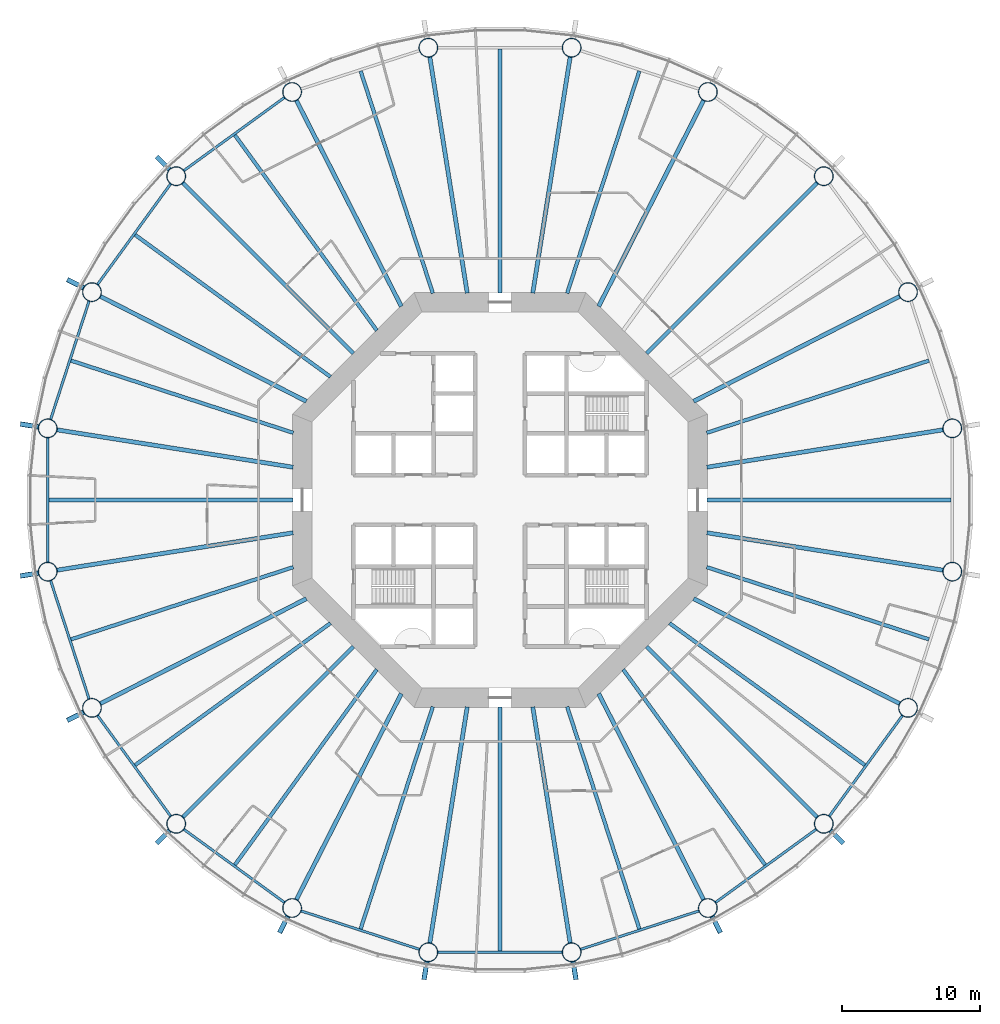
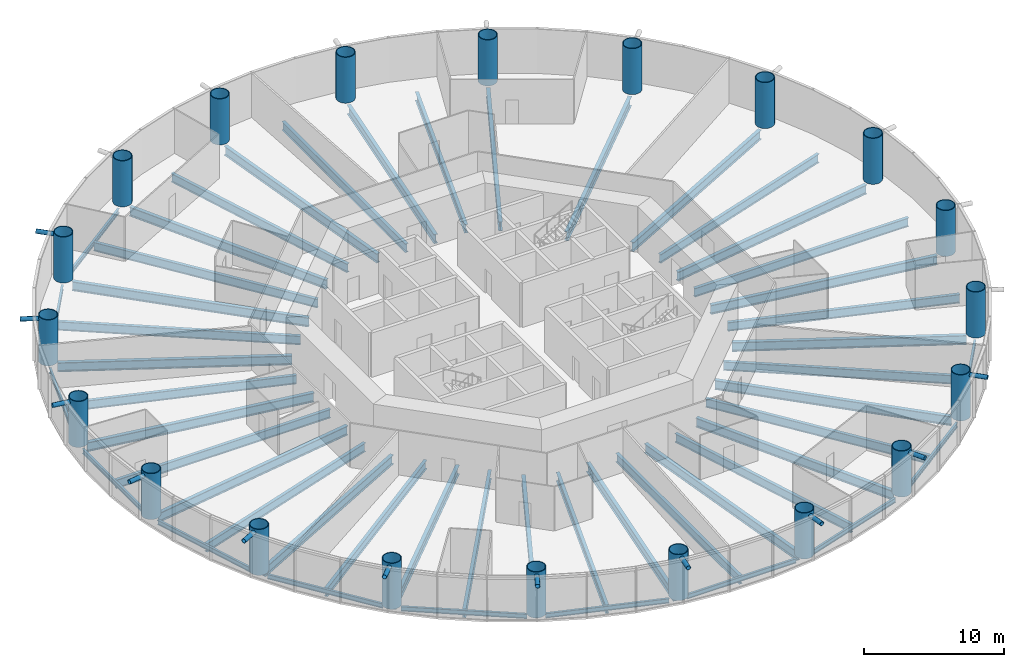
# One storey, part 1 of 13: 50 beams, 20 columns, 11 members.
"""IFC4 building model written with IfcOpenShell, lengths in metres."""

from ifc_helpers import new_model, si_unit, direction, frame, origin, origin_2d, place, context, subcontext, project, spatial, circle, hollow_circle, i_section, extrude, material, material_profile, profile_set, type_object, element, save


model = new_model("IFC4")

# Units and contexts
model_context = context("Model", 3, precision=1e-05, world=origin(), true_north=direction((0.0, 1.0)))
body_context = subcontext(model_context, "Body", "Model", "MODEL_VIEW")
ifc_project = project(units=[si_unit("LENGTHUNIT", "METRE"), si_unit("AREAUNIT", "SQUARE_METRE"), si_unit("VOLUMEUNIT", "CUBIC_METRE"), si_unit("PLANEANGLEUNIT", "RADIAN"), si_unit("MASSUNIT", "GRAM", prefix="KILO")], contexts=[model_context])

# Site, building, storey
site_placement = place(None, origin())
site = spatial("IfcSite", under=ifc_project, at=site_placement, CompositionType="ELEMENT")
building_placement = place(site_placement, origin())
building = spatial("IfcBuilding", under=site, at=building_placement, Name="Entoto Ring Tower", CompositionType="ELEMENT")
storey_placement = place(building_placement, frame((0.0, 0.0, 34.0)))
storey = spatial("IfcBuildingStorey", under=building, at=storey_placement, Name="L06", CompositionType="ELEMENT", Elevation=34.0)

# Columns
ifc_material_1 = material(Name="Steel S355", Category="steel")
ifc_material_profile_1 = material_profile(ifc_material_1, hollow_circle(Radius=0.699951171875, WallThickness=0.06005859375, at=origin_2d()), Name="CHS 1400 x 60")
ifc_material_2 = material(Name="Concrete C60/75", Category="concrete")
ifc_material_profile_2 = material_profile(ifc_material_2, circle(Radius=0.639892578125, at=origin_2d()), Name="Concrete C60/75 infill")
ifc_profile_set_1 = profile_set([ifc_material_profile_1, ifc_material_profile_2], Name="Steel S355")
column_type = type_object("IfcColumnType", Name="Ring column 1400 x 60 concrete-filled tube", PredefinedType="COLUMN", material=ifc_profile_set_1)
for number, where, z_axis, x_axis, name in (
    (1, (122.6923828125, 85.177978515625, 0.0), (0.0, 0.0, 1.0), (1.0, 0.0, 0.0), "RC1 R01"),
    (2, (119.492431640625, 95.027099609375, 0.0), (0.0, 0.0, 1.0), (1.0, 0.0, 0.0), "RC1 R02"),
    (3, (113.4052734375, 103.4052734375, 0.0), (0.0, 0.0, 1.0), (1.0, 0.0, 0.0), "RC1 R03"),
    (4, (105.027099609375, 109.492431640625, 0.0), (0.0, 0.0, 1.0), (1.0, 0.0, 0.0), "RC1 R04"),
    (5, (95.177978515625, 112.6923828125, 0.0), (0.0, 0.0, 1.0), (1.0, 0.0, 0.0), "RC1 R05"),
    (6, (84.822021484375, 112.6923828125, 0.0), (0.0, 0.0, 1.0), (1.0, 0.0, 0.0), "RC1 R06"),
    (7, (74.972900390625, 109.492431640625, 0.0), (0.0, 0.0, 1.0), (1.0, 0.0, 0.0), "RC1 R07"),
    (8, (66.5947265625, 103.4052734375, 0.0), (0.0, 0.0, 1.0), (1.0, 0.0, 0.0), "RC1 R08"),
    (9, (60.507568359375, 95.027099609375, 0.0), (0.0, 0.0, 1.0), (1.0, 0.0, 0.0), "RC1 R09"),
    (10, (57.3076171875, 85.177978515625, 0.0), (0.0, 0.0, 1.0), (1.0, 0.0, 0.0), "RC1 R10"),
    (11, (57.3076171875, 74.822021484375, 0.0), (0.0, 0.0, 1.0), (1.0, 0.0, 0.0), "RC1 R11"),
    (12, (60.507568359375, 64.972900390625, 0.0), (0.0, 0.0, 1.0), (1.0, 0.0, 0.0), "RC1 R12"),
    (13, (66.5947265625, 56.5947265625, 0.0), (0.0, 0.0, 1.0), (1.0, 0.0, 0.0), "RC1 R13"),
    (14, (74.972900390625, 50.507568359375, 0.0), (0.0, 0.0, 1.0), (1.0, 0.0, 0.0), "RC1 R14"),
    (15, (84.822021484375, 47.3076171875, 0.0), (0.0, 0.0, 1.0), (1.0, 0.0, 0.0), "RC1 R15"),
    (16, (95.177978515625, 47.3076171875, 0.0), (0.0, 0.0, 1.0), (1.0, 0.0, 0.0), "RC1 R16"),
    (17, (105.027099609375, 50.507568359375, 0.0), (0.0, 0.0, 1.0), (1.0, 0.0, 0.0), "RC1 R17"),
    (18, (113.4052734375, 56.5947265625, 0.0), (0.0, 0.0, 1.0), (1.0, 0.0, 0.0), "RC1 R18"),
    (19, (119.492431640625, 64.972900390625, 0.0), (0.0, 0.0, 1.0), (1.0, 0.0, 0.0), "RC1 R19"),
    (20, (122.6923828125, 74.822021484375, 0.0), (0.0, 0.0, 1.0), (1.0, 0.0, 0.0), "RC1 R20"),
):
    element("IfcColumn", number, at=place(storey_placement, frame(where, z_axis=z_axis, x_axis=x_axis)), inside=storey, type_object=column_type, Name=name, PredefinedType="COLUMN", context=body_context, shape_type="SweptSolid", body=[
        extrude(hollow_circle(Radius=0.699951171875, WallThickness=0.06005859375, at=origin_2d()), origin(), (0.0, 0.0, 1.0), 4.0),
    ])

# Members
ifc_material_3 = material(Name="Steel S355", Category="steel")
ifc_material_profile_3 = material_profile(ifc_material_3, hollow_circle(Radius=0.177734375, WallThickness=0.01611328125, at=origin_2d()), Name="CHS 355.6 x 16")
ifc_material_4 = material(Name="Concrete C60/75", Category="concrete")
ifc_material_profile_4 = material_profile(ifc_material_4, circle(Radius=0.161865234375, at=origin_2d()), Name="Concrete C60/75 infill")
ifc_profile_set_2 = profile_set([ifc_material_profile_3, ifc_material_profile_4], Name="Steel S355")
member_type = type_object("IfcMemberType", Name="Diagrid node strut 355.6 x 16", PredefinedType="STRUT", material=ifc_profile_set_2)
member_1_placement = place(storey_placement, frame((66.130126953125, 103.869873046875, 3.672119140625), z_axis=(-0.707106781187, 0.707106781187, 0.0), x_axis=(-0.707106781187, -0.707106781187, 0.0)))
element("IfcMember", 21, at=member_1_placement, inside=storey, type_object=member_type, Name="DS1 strut ring 2 08", PredefinedType="STRUT", context=body_context, shape_type="SweptSolid", body=[
    extrude(hollow_circle(Radius=0.177734375, WallThickness=0.01611328125, at=origin_2d()), origin(), (0.0, 0.0, 1.0), 1.3427734375),
])
member_2_placement = place(storey_placement, frame((59.92236328125, 95.325439453125, 3.672119140625), z_axis=(-0.891057529727, 0.453890381829, 0.0), x_axis=(-0.453890381829, -0.891057529727, 0.0)))
element("IfcMember", 22, at=member_2_placement, inside=storey, type_object=member_type, Name="DS1 strut ring 2 09", PredefinedType="STRUT", context=body_context, shape_type="SweptSolid", body=[
    extrude(hollow_circle(Radius=0.177734375, WallThickness=0.01611328125, at=origin_2d()), origin(), (0.0, 0.0, 1.0), 1.343017578125),
])
for number, where, z_axis, x_axis, name in (
    (23, (56.65869140625, 85.28076171875, 3.672119140625), (-0.987678819889, 0.156494564579, 0.0), (-0.156494564579, -0.987678819889, 0.0), "DS1 strut ring 2 10"),
    (24, (56.65869140625, 74.71923828125, 3.672119140625), (-0.987678819889, -0.156494564579, 0.0), (0.156494564579, -0.987678819889, 0.0), "DS1 strut ring 2 11"),
):
    element("IfcMember", number, at=place(storey_placement, frame(where, z_axis=z_axis, x_axis=x_axis)), inside=storey, type_object=member_type, Name=name, PredefinedType="STRUT", context=body_context, shape_type="SweptSolid", body=[
        extrude(hollow_circle(Radius=0.177734375, WallThickness=0.01611328125, at=origin_2d()), origin(), (0.0, 0.0, 1.0), 1.34326171875),
    ])
member_3_placement = place(storey_placement, frame((59.92236328125, 64.674560546875, 3.672119140625), z_axis=(-0.891057529727, -0.453890381829, 0.0), x_axis=(0.453890381829, -0.891057529727, 0.0)))
element("IfcMember", 25, at=member_3_placement, inside=storey, type_object=member_type, Name="DS1 strut ring 2 12", PredefinedType="STRUT", context=body_context, shape_type="SweptSolid", body=[
    extrude(hollow_circle(Radius=0.177734375, WallThickness=0.01611328125, at=origin_2d()), origin(), (0.0, 0.0, 1.0), 1.343017578125),
])
member_4_placement = place(storey_placement, frame((66.130126953125, 56.130126953125, 3.672119140625), z_axis=(-0.707106781187, -0.707106781187, 0.0), x_axis=(0.707106781187, -0.707106781187, 0.0)))
element("IfcMember", 26, at=member_4_placement, inside=storey, type_object=member_type, Name="DS1 strut ring 2 13", PredefinedType="STRUT", context=body_context, shape_type="SweptSolid", body=[
    extrude(hollow_circle(Radius=0.177734375, WallThickness=0.01611328125, at=origin_2d()), origin(), (0.0, 0.0, 1.0), 1.3427734375),
])
member_5_placement = place(storey_placement, frame((74.674560546875, 49.92236328125, 3.672119140625), z_axis=(-0.453890381829, -0.891057529727, 0.0), x_axis=(0.891057529727, -0.453890381829, 0.0)))
element("IfcMember", 27, at=member_5_placement, inside=storey, type_object=member_type, Name="DS1 strut ring 2 14", PredefinedType="STRUT", context=body_context, shape_type="SweptSolid", body=[
    extrude(hollow_circle(Radius=0.177734375, WallThickness=0.01611328125, at=origin_2d()), origin(), (0.0, 0.0, 1.0), 1.343017578125),
])
for number, where, z_axis, x_axis, name in (
    (28, (84.71923828125, 46.65869140625, 3.672119140625), (-0.156494564579, -0.987678819889, 0.0), (0.987678819889, -0.156494564579, 0.0), "DS1 strut ring 2 15"),
    (29, (95.28076171875, 46.65869140625, 3.672119140625), (0.156494564579, -0.987678819889, 0.0), (0.987678819889, 0.156494564579, 0.0), "DS1 strut ring 2 16"),
):
    element("IfcMember", number, at=place(storey_placement, frame(where, z_axis=z_axis, x_axis=x_axis)), inside=storey, type_object=member_type, Name=name, PredefinedType="STRUT", context=body_context, shape_type="SweptSolid", body=[
        extrude(hollow_circle(Radius=0.177734375, WallThickness=0.01611328125, at=origin_2d()), origin(), (0.0, 0.0, 1.0), 1.34326171875),
    ])
member_6_placement = place(storey_placement, frame((105.325439453125, 49.92236328125, 3.672119140625), z_axis=(0.453890381829, -0.891057529727, 0.0), x_axis=(0.891057529727, 0.453890381829, 0.0)))
element("IfcMember", 30, at=member_6_placement, inside=storey, type_object=member_type, Name="DS1 strut ring 2 17", PredefinedType="STRUT", context=body_context, shape_type="SweptSolid", body=[
    extrude(hollow_circle(Radius=0.177734375, WallThickness=0.01611328125, at=origin_2d()), origin(), (0.0, 0.0, 1.0), 1.343017578125),
])
member_7_placement = place(storey_placement, frame((113.869873046875, 56.130126953125, 3.672119140625), z_axis=(0.707106781187, -0.707106781187, 0.0), x_axis=(0.707106781187, 0.707106781187, 0.0)))
element("IfcMember", 31, at=member_7_placement, inside=storey, type_object=member_type, Name="DS1 strut ring 2 18", PredefinedType="STRUT", context=body_context, shape_type="SweptSolid", body=[
    extrude(hollow_circle(Radius=0.177734375, WallThickness=0.01611328125, at=origin_2d()), origin(), (0.0, 0.0, 1.0), 1.3427734375),
])

# Beams
ifc_material_5 = material(Name="Steel S355", Category="steel")
ifc_material_profile_5 = material_profile(ifc_material_5, i_section(OverallWidth=0.179931640625, OverallDepth=0.39990234375, WebThickness=0.008544921875, FlangeThickness=0.013427734375, FilletRadius=0.02099609375, at=origin_2d()), Name="IPE 400")
ifc_profile_set_3 = profile_set([ifc_material_profile_5], Name="Steel S355")
beam_type_1 = type_object("IfcBeamType", Name="Edge beam IPE 400", PredefinedType="SPANDREL", material=ifc_profile_set_3)
for number, where, z_axis, x_axis, name in (
    (32, (74.427490234375, 109.09619140625, -0.35009765625), (-0.80901142547, -0.587792917156, 0.0), (0.587792917156, -0.80901142547, 0.0), "Edge beam L06 07"),
    (33, (66.198486328125, 102.85986328125, -0.35009765625), (-0.587792917156, -0.80901142547, 0.0), (0.80901142547, -0.587792917156, 0.0), "Edge beam L06 08"),
    (34, (60.29931640625, 94.385986328125, -0.35009765625), (-0.309006400295, -0.951059958455, 0.0), (0.951059958455, -0.309006400295, 0.0), "Edge beam L06 09"),
    (35, (57.3076171875, 84.50390625, -0.35009765625), (0.0, -1.0, 0.0), (1.0, 0.0, 0.0), "Edge beam L06 10"),
    (36, (57.515869140625, 74.180908203125, -0.35009765625), (0.309006400295, -0.951059958455, 0.0), (0.951059958455, 0.309006400295, 0.0), "Edge beam L06 11"),
    (37, (60.90380859375, 64.427490234375, -0.35009765625), (0.587792917156, -0.80901142547, 0.0), (0.80901142547, 0.587792917156, 0.0), "Edge beam L06 12"),
    (38, (67.14013671875, 56.198486328125, -0.35009765625), (0.80901142547, -0.587792917156, 0.0), (0.587792917156, 0.80901142547, 0.0), "Edge beam L06 13"),
    (39, (75.614013671875, 50.29931640625, -0.35009765625), (0.951059958455, -0.309006400295, 0.0), (0.309006400295, 0.951059958455, 0.0), "Edge beam L06 14"),
    (40, (85.49609375, 47.3076171875, -0.35009765625), (1.0, 0.0, 0.0), (0.0, 1.0, 0.0), "Edge beam L06 15"),
    (41, (95.819091796875, 47.515869140625, -0.35009765625), (0.951059958455, 0.309006400295, 0.0), (-0.309006400295, 0.951059958455, 0.0), "Edge beam L06 16"),
    (42, (105.572509765625, 50.90380859375, -0.35009765625), (0.80901142547, 0.587792917156, 0.0), (-0.587792917156, 0.80901142547, 0.0), "Edge beam L06 17"),
    (43, (113.801513671875, 57.14013671875, -0.35009765625), (0.587792917156, 0.80901142547, 0.0), (-0.80901142547, 0.587792917156, 0.0), "Edge beam L06 18"),
):
    element("IfcBeam", number, at=place(storey_placement, frame(where, z_axis=z_axis, x_axis=x_axis)), inside=storey, type_object=beam_type_1, Name=name, PredefinedType="SPANDREL", context=body_context, shape_type="SweptSolid", body=[
        extrude(i_section(OverallWidth=0.179931640625, OverallDepth=0.39990234375, WebThickness=0.008544921875, FlangeThickness=0.013427734375, FilletRadius=0.02099609375, at=origin_2d()), origin(), (0.0, 0.0, 1.0), 9.0078125),
    ])
ifc_material_6 = material(Name="Steel S355", Category="steel")
ifc_material_profile_6 = material_profile(ifc_material_6, i_section(OverallWidth=0.300048828125, OverallDepth=0.800048828125, WebThickness=0.017578125, FlangeThickness=0.032958984375, FilletRadius=0.030029296875, at=origin_2d()), Name="HE 800 B")
ifc_profile_set_4 = profile_set([ifc_material_profile_6], Name="Steel S355")
beam_type_2 = type_object("IfcBeamType", Name="Primary floor beam HE 800 B", PredefinedType="BEAM", material=ifc_profile_set_4)
beam_1_placement = place(storey_placement, frame((104.956787109375, 82.368896484375, -0.550048828125), z_axis=(0.98768775999, 0.156438130794, 0.0), x_axis=(-0.156438130794, 0.98768775999, 0.0)))
element("IfcBeam", 44, at=beam_1_placement, inside=storey, type_object=beam_type_2, Name="Primary L06 R01", PredefinedType="BEAM", context=body_context, shape_type="SweptSolid", body=[
    extrude(i_section(OverallWidth=0.300048828125, OverallDepth=0.800048828125, WebThickness=0.017578125, FlangeThickness=0.032958984375, FilletRadius=0.030029296875, at=origin_2d()), origin(), (0.0, 0.0, 1.0), 17.293212890625),
])
beam_2_placement = place(storey_placement, frame((103.99169921875, 87.129150390625, -0.550048828125), z_axis=(0.891007761657, 0.453988071063, 0.0), x_axis=(-0.453988071063, 0.891007761657, 0.0)))
element("IfcBeam", 45, at=beam_2_placement, inside=storey, type_object=beam_type_2, Name="Primary L06 R02", PredefinedType="BEAM", context=body_context, shape_type="SweptSolid", body=[
    extrude(i_section(OverallWidth=0.300048828125, OverallDepth=0.800048828125, WebThickness=0.017578125, FlangeThickness=0.032958984375, FilletRadius=0.030029296875, at=origin_2d()), origin(), (0.0, 0.0, 1.0), 16.733154296875),
])
beam_3_placement = place(storey_placement, frame((100.592529296875, 90.592529296875, -0.550048828125), z_axis=(0.707106781187, 0.707106781187, 0.0), x_axis=(-0.707106781187, 0.707106781187, 0.0)))
element("IfcBeam", 46, at=beam_3_placement, inside=storey, type_object=beam_type_2, Name="Primary L06 R03", PredefinedType="BEAM", context=body_context, shape_type="SweptSolid", body=[
    extrude(i_section(OverallWidth=0.300048828125, OverallDepth=0.800048828125, WebThickness=0.017578125, FlangeThickness=0.032958984375, FilletRadius=0.030029296875, at=origin_2d()), origin(), (0.0, 0.0, 1.0), 17.456298828125),
])
beam_4_placement = place(storey_placement, frame((97.129150390625, 93.99169921875, -0.550048828125), z_axis=(0.453988071063, 0.891007761657, 0.0), x_axis=(-0.891007761657, 0.453988071063, 0.0)))
element("IfcBeam", 47, at=beam_4_placement, inside=storey, type_object=beam_type_2, Name="Primary L06 R04", PredefinedType="BEAM", context=body_context, shape_type="SweptSolid", body=[
    extrude(i_section(OverallWidth=0.300048828125, OverallDepth=0.800048828125, WebThickness=0.017578125, FlangeThickness=0.032958984375, FilletRadius=0.030029296875, at=origin_2d()), origin(), (0.0, 0.0, 1.0), 16.733154296875),
])
for number, where, z_axis, x_axis, name in (
    (48, (92.368896484375, 94.956787109375, -0.550048828125), (0.156438130794, 0.98768775999, 0.0), (-0.98768775999, 0.156438130794, 0.0), "Primary L06 R05"),
    (49, (87.631103515625, 94.956787109375, -0.550048828125), (-0.156438130794, 0.98768775999, 0.0), (-0.98768775999, -0.156438130794, 0.0), "Primary L06 R06"),
):
    element("IfcBeam", number, at=place(storey_placement, frame(where, z_axis=z_axis, x_axis=x_axis)), inside=storey, type_object=beam_type_2, Name=name, PredefinedType="BEAM", context=body_context, shape_type="SweptSolid", body=[
        extrude(i_section(OverallWidth=0.300048828125, OverallDepth=0.800048828125, WebThickness=0.017578125, FlangeThickness=0.032958984375, FilletRadius=0.030029296875, at=origin_2d()), origin(), (0.0, 0.0, 1.0), 17.293212890625),
    ])
beam_5_placement = place(storey_placement, frame((82.870849609375, 93.99169921875, -0.550048828125), z_axis=(-0.453988071063, 0.891007761657, 0.0), x_axis=(-0.891007761657, -0.453988071063, 0.0)))
element("IfcBeam", 50, at=beam_5_placement, inside=storey, type_object=beam_type_2, Name="Primary L06 R07", PredefinedType="BEAM", context=body_context, shape_type="SweptSolid", body=[
    extrude(i_section(OverallWidth=0.300048828125, OverallDepth=0.800048828125, WebThickness=0.017578125, FlangeThickness=0.032958984375, FilletRadius=0.030029296875, at=origin_2d()), origin(), (0.0, 0.0, 1.0), 16.733154296875),
])
beam_6_placement = place(storey_placement, frame((79.407470703125, 90.592529296875, -0.550048828125), z_axis=(-0.707106781187, 0.707106781187, 0.0), x_axis=(-0.707106781187, -0.707106781187, 0.0)))
element("IfcBeam", 51, at=beam_6_placement, inside=storey, type_object=beam_type_2, Name="Primary L06 R08", PredefinedType="BEAM", context=body_context, shape_type="SweptSolid", body=[
    extrude(i_section(OverallWidth=0.300048828125, OverallDepth=0.800048828125, WebThickness=0.017578125, FlangeThickness=0.032958984375, FilletRadius=0.030029296875, at=origin_2d()), origin(), (0.0, 0.0, 1.0), 17.456298828125),
])
beam_7_placement = place(storey_placement, frame((76.00830078125, 87.129150390625, -0.550048828125), z_axis=(-0.891007761657, 0.453988071063, 0.0), x_axis=(-0.453988071063, -0.891007761657, 0.0)))
element("IfcBeam", 52, at=beam_7_placement, inside=storey, type_object=beam_type_2, Name="Primary L06 R09", PredefinedType="BEAM", context=body_context, shape_type="SweptSolid", body=[
    extrude(i_section(OverallWidth=0.300048828125, OverallDepth=0.800048828125, WebThickness=0.017578125, FlangeThickness=0.032958984375, FilletRadius=0.030029296875, at=origin_2d()), origin(), (0.0, 0.0, 1.0), 16.733154296875),
])
for number, where, z_axis, x_axis, name in (
    (53, (75.043212890625, 82.368896484375, -0.550048828125), (-0.98768775999, 0.156438130794, 0.0), (-0.156438130794, -0.98768775999, 0.0), "Primary L06 R10"),
    (54, (75.043212890625, 77.631103515625, -0.550048828125), (-0.98768775999, -0.156438130794, 0.0), (0.156438130794, -0.98768775999, 0.0), "Primary L06 R11"),
):
    element("IfcBeam", number, at=place(storey_placement, frame(where, z_axis=z_axis, x_axis=x_axis)), inside=storey, type_object=beam_type_2, Name=name, PredefinedType="BEAM", context=body_context, shape_type="SweptSolid", body=[
        extrude(i_section(OverallWidth=0.300048828125, OverallDepth=0.800048828125, WebThickness=0.017578125, FlangeThickness=0.032958984375, FilletRadius=0.030029296875, at=origin_2d()), origin(), (0.0, 0.0, 1.0), 17.293212890625),
    ])
beam_8_placement = place(storey_placement, frame((76.00830078125, 72.870849609375, -0.550048828125), z_axis=(-0.891007761657, -0.453988071063, 0.0), x_axis=(0.453988071063, -0.891007761657, 0.0)))
element("IfcBeam", 55, at=beam_8_placement, inside=storey, type_object=beam_type_2, Name="Primary L06 R12", PredefinedType="BEAM", context=body_context, shape_type="SweptSolid", body=[
    extrude(i_section(OverallWidth=0.300048828125, OverallDepth=0.800048828125, WebThickness=0.017578125, FlangeThickness=0.032958984375, FilletRadius=0.030029296875, at=origin_2d()), origin(), (0.0, 0.0, 1.0), 16.733154296875),
])
beam_9_placement = place(storey_placement, frame((79.407470703125, 69.407470703125, -0.550048828125), z_axis=(-0.707106781187, -0.707106781187, 0.0), x_axis=(0.707106781187, -0.707106781187, 0.0)))
element("IfcBeam", 56, at=beam_9_placement, inside=storey, type_object=beam_type_2, Name="Primary L06 R13", PredefinedType="BEAM", context=body_context, shape_type="SweptSolid", body=[
    extrude(i_section(OverallWidth=0.300048828125, OverallDepth=0.800048828125, WebThickness=0.017578125, FlangeThickness=0.032958984375, FilletRadius=0.030029296875, at=origin_2d()), origin(), (0.0, 0.0, 1.0), 17.456298828125),
])
beam_10_placement = place(storey_placement, frame((82.870849609375, 66.00830078125, -0.550048828125), z_axis=(-0.453988071063, -0.891007761657, 0.0), x_axis=(0.891007761657, -0.453988071063, 0.0)))
element("IfcBeam", 57, at=beam_10_placement, inside=storey, type_object=beam_type_2, Name="Primary L06 R14", PredefinedType="BEAM", context=body_context, shape_type="SweptSolid", body=[
    extrude(i_section(OverallWidth=0.300048828125, OverallDepth=0.800048828125, WebThickness=0.017578125, FlangeThickness=0.032958984375, FilletRadius=0.030029296875, at=origin_2d()), origin(), (0.0, 0.0, 1.0), 16.733154296875),
])
for number, where, z_axis, x_axis, name in (
    (58, (87.631103515625, 65.043212890625, -0.550048828125), (-0.156438130794, -0.98768775999, 0.0), (0.98768775999, -0.156438130794, 0.0), "Primary L06 R15"),
    (59, (92.368896484375, 65.043212890625, -0.550048828125), (0.156438130794, -0.98768775999, 0.0), (0.98768775999, 0.156438130794, 0.0), "Primary L06 R16"),
):
    element("IfcBeam", number, at=place(storey_placement, frame(where, z_axis=z_axis, x_axis=x_axis)), inside=storey, type_object=beam_type_2, Name=name, PredefinedType="BEAM", context=body_context, shape_type="SweptSolid", body=[
        extrude(i_section(OverallWidth=0.300048828125, OverallDepth=0.800048828125, WebThickness=0.017578125, FlangeThickness=0.032958984375, FilletRadius=0.030029296875, at=origin_2d()), origin(), (0.0, 0.0, 1.0), 17.293212890625),
    ])
beam_11_placement = place(storey_placement, frame((97.129150390625, 66.00830078125, -0.550048828125), z_axis=(0.453988071063, -0.891007761657, 0.0), x_axis=(0.891007761657, 0.453988071063, 0.0)))
element("IfcBeam", 60, at=beam_11_placement, inside=storey, type_object=beam_type_2, Name="Primary L06 R17", PredefinedType="BEAM", context=body_context, shape_type="SweptSolid", body=[
    extrude(i_section(OverallWidth=0.300048828125, OverallDepth=0.800048828125, WebThickness=0.017578125, FlangeThickness=0.032958984375, FilletRadius=0.030029296875, at=origin_2d()), origin(), (0.0, 0.0, 1.0), 16.733154296875),
])
beam_12_placement = place(storey_placement, frame((100.592529296875, 69.407470703125, -0.550048828125), z_axis=(0.707106781187, -0.707106781187, 0.0), x_axis=(0.707106781187, 0.707106781187, 0.0)))
element("IfcBeam", 61, at=beam_12_placement, inside=storey, type_object=beam_type_2, Name="Primary L06 R18", PredefinedType="BEAM", context=body_context, shape_type="SweptSolid", body=[
    extrude(i_section(OverallWidth=0.300048828125, OverallDepth=0.800048828125, WebThickness=0.017578125, FlangeThickness=0.032958984375, FilletRadius=0.030029296875, at=origin_2d()), origin(), (0.0, 0.0, 1.0), 17.456298828125),
])
beam_13_placement = place(storey_placement, frame((103.99169921875, 72.870849609375, -0.550048828125), z_axis=(0.891007761657, -0.453988071063, 0.0), x_axis=(0.453988071063, 0.891007761657, 0.0)))
element("IfcBeam", 62, at=beam_13_placement, inside=storey, type_object=beam_type_2, Name="Primary L06 R19", PredefinedType="BEAM", context=body_context, shape_type="SweptSolid", body=[
    extrude(i_section(OverallWidth=0.300048828125, OverallDepth=0.800048828125, WebThickness=0.017578125, FlangeThickness=0.032958984375, FilletRadius=0.030029296875, at=origin_2d()), origin(), (0.0, 0.0, 1.0), 16.733154296875),
])
beam_14_placement = place(storey_placement, frame((104.956787109375, 77.631103515625, -0.550048828125), z_axis=(0.98768775999, -0.156438130794, 0.0), x_axis=(0.156438130794, 0.98768775999, 0.0)))
element("IfcBeam", 63, at=beam_14_placement, inside=storey, type_object=beam_type_2, Name="Primary L06 R20", PredefinedType="BEAM", context=body_context, shape_type="SweptSolid", body=[
    extrude(i_section(OverallWidth=0.300048828125, OverallDepth=0.800048828125, WebThickness=0.017578125, FlangeThickness=0.032958984375, FilletRadius=0.030029296875, at=origin_2d()), origin(), (0.0, 0.0, 1.0), 17.293212890625),
])
ifc_material_7 = material(Name="Steel S355", Category="steel")
ifc_material_profile_7 = material_profile(ifc_material_7, i_section(OverallWidth=0.262939453125, OverallDepth=0.7529296875, WebThickness=0.011474609375, FlangeThickness=0.01708984375, FilletRadius=0.01708984375, at=origin_2d()), Name="IPE 750 x 137")
ifc_profile_set_5 = profile_set([ifc_material_profile_7], Name="Steel S355")
beam_type_3 = type_object("IfcBeamType", Name="Secondary floor beam IPE 750 x 137", PredefinedType="JOIST", material=ifc_profile_set_5)
for number, where, z_axis, x_axis, name in (
    (64, (104.9404296875, 84.8544921875, -0.526611328125), (0.951057855768, 0.30901287187, 0.0), (-0.30901287187, 0.951057855768, 0.0), "Secondary beam L06 01"),
    (65, (94.8544921875, 94.9404296875, -0.526611328125), (0.30901287187, 0.951057855768, 0.0), (-0.951057855768, 0.30901287187, 0.0), "Secondary beam L06 04"),
):
    element("IfcBeam", number, at=place(storey_placement, frame(where, z_axis=z_axis, x_axis=x_axis)), inside=storey, type_object=beam_type_3, Name=name, PredefinedType="JOIST", context=body_context, shape_type="SweptSolid", body=[
        extrude(i_section(OverallWidth=0.262939453125, OverallDepth=0.7529296875, WebThickness=0.011474609375, FlangeThickness=0.01708984375, FilletRadius=0.01708984375, at=origin_2d()), origin(), (0.0, 0.0, 1.0), 16.893310546875),
    ])
beam_15_placement = place(storey_placement, frame((90.0, 94.97998046875, -0.526611328125), z_axis=(0.0, 1.0, 0.0), x_axis=(-1.0, 0.0, 0.0)))
element("IfcBeam", 66, at=beam_15_placement, inside=storey, type_object=beam_type_3, Name="Secondary beam L06 05", PredefinedType="JOIST", context=body_context, shape_type="SweptSolid", body=[
    extrude(i_section(OverallWidth=0.262939453125, OverallDepth=0.7529296875, WebThickness=0.011474609375, FlangeThickness=0.01708984375, FilletRadius=0.01708984375, at=origin_2d()), origin(), (0.0, 0.0, 1.0), 17.62255859375),
])
beam_16_placement = place(storey_placement, frame((85.1455078125, 94.9404296875, -0.526611328125), z_axis=(-0.30901287187, 0.951057855768, 0.0), x_axis=(-0.951057855768, -0.30901287187, 0.0)))
element("IfcBeam", 67, at=beam_16_placement, inside=storey, type_object=beam_type_3, Name="Secondary beam L06 06", PredefinedType="JOIST", context=body_context, shape_type="SweptSolid", body=[
    extrude(i_section(OverallWidth=0.262939453125, OverallDepth=0.7529296875, WebThickness=0.011474609375, FlangeThickness=0.01708984375, FilletRadius=0.01708984375, at=origin_2d()), origin(), (0.0, 0.0, 1.0), 16.893310546875),
])
for number, where, z_axis, x_axis, name in (
    (68, (81.097412109375, 92.25341796875, -0.526611328125), (-0.58778910532, 0.809014194973, 0.0), (-0.809014194973, -0.58778910532, 0.0), "Secondary beam L06 07"),
    (69, (77.74658203125, 88.902587890625, -0.526611328125), (-0.809014194973, 0.58778910532, 0.0), (-0.58778910532, -0.809014194973, 0.0), "Secondary beam L06 08"),
):
    element("IfcBeam", number, at=place(storey_placement, frame(where, z_axis=z_axis, x_axis=x_axis)), inside=storey, type_object=beam_type_3, Name=name, PredefinedType="JOIST", context=body_context, shape_type="SweptSolid", body=[
        extrude(i_section(OverallWidth=0.262939453125, OverallDepth=0.7529296875, WebThickness=0.011474609375, FlangeThickness=0.01708984375, FilletRadius=0.01708984375, at=origin_2d()), origin(), (0.0, 0.0, 1.0), 17.45654296875),
    ])
beam_17_placement = place(storey_placement, frame((75.0595703125, 84.8544921875, -0.526611328125), z_axis=(-0.951057855768, 0.30901287187, 0.0), x_axis=(-0.30901287187, -0.951057855768, 0.0)))
element("IfcBeam", 70, at=beam_17_placement, inside=storey, type_object=beam_type_3, Name="Secondary beam L06 09", PredefinedType="JOIST", context=body_context, shape_type="SweptSolid", body=[
    extrude(i_section(OverallWidth=0.262939453125, OverallDepth=0.7529296875, WebThickness=0.011474609375, FlangeThickness=0.01708984375, FilletRadius=0.01708984375, at=origin_2d()), origin(), (0.0, 0.0, 1.0), 16.893310546875),
])
beam_18_placement = place(storey_placement, frame((75.02001953125, 80.0, -0.526611328125), z_axis=(-1.0, 0.0, 0.0), x_axis=(0.0, -1.0, 0.0)))
element("IfcBeam", 71, at=beam_18_placement, inside=storey, type_object=beam_type_3, Name="Secondary beam L06 10", PredefinedType="JOIST", context=body_context, shape_type="SweptSolid", body=[
    extrude(i_section(OverallWidth=0.262939453125, OverallDepth=0.7529296875, WebThickness=0.011474609375, FlangeThickness=0.01708984375, FilletRadius=0.01708984375, at=origin_2d()), origin(), (0.0, 0.0, 1.0), 17.62255859375),
])
beam_19_placement = place(storey_placement, frame((75.0595703125, 75.1455078125, -0.526611328125), z_axis=(-0.951057855768, -0.30901287187, 0.0), x_axis=(0.30901287187, -0.951057855768, 0.0)))
element("IfcBeam", 72, at=beam_19_placement, inside=storey, type_object=beam_type_3, Name="Secondary beam L06 11", PredefinedType="JOIST", context=body_context, shape_type="SweptSolid", body=[
    extrude(i_section(OverallWidth=0.262939453125, OverallDepth=0.7529296875, WebThickness=0.011474609375, FlangeThickness=0.01708984375, FilletRadius=0.01708984375, at=origin_2d()), origin(), (0.0, 0.0, 1.0), 16.893310546875),
])
for number, where, z_axis, x_axis, name in (
    (73, (77.74658203125, 71.097412109375, -0.526611328125), (-0.809014194973, -0.58778910532, 0.0), (0.58778910532, -0.809014194973, 0.0), "Secondary beam L06 12"),
    (74, (81.097412109375, 67.74658203125, -0.526611328125), (-0.58778910532, -0.809014194973, 0.0), (0.809014194973, -0.58778910532, 0.0), "Secondary beam L06 13"),
):
    element("IfcBeam", number, at=place(storey_placement, frame(where, z_axis=z_axis, x_axis=x_axis)), inside=storey, type_object=beam_type_3, Name=name, PredefinedType="JOIST", context=body_context, shape_type="SweptSolid", body=[
        extrude(i_section(OverallWidth=0.262939453125, OverallDepth=0.7529296875, WebThickness=0.011474609375, FlangeThickness=0.01708984375, FilletRadius=0.01708984375, at=origin_2d()), origin(), (0.0, 0.0, 1.0), 17.45654296875),
    ])
beam_20_placement = place(storey_placement, frame((85.1455078125, 65.0595703125, -0.526611328125), z_axis=(-0.30901287187, -0.951057855768, 0.0), x_axis=(0.951057855768, -0.30901287187, 0.0)))
element("IfcBeam", 75, at=beam_20_placement, inside=storey, type_object=beam_type_3, Name="Secondary beam L06 14", PredefinedType="JOIST", context=body_context, shape_type="SweptSolid", body=[
    extrude(i_section(OverallWidth=0.262939453125, OverallDepth=0.7529296875, WebThickness=0.011474609375, FlangeThickness=0.01708984375, FilletRadius=0.01708984375, at=origin_2d()), origin(), (0.0, 0.0, 1.0), 16.893310546875),
])
beam_21_placement = place(storey_placement, frame((90.0, 65.02001953125, -0.526611328125), z_axis=(0.0, -1.0, 0.0), x_axis=(1.0, 0.0, 0.0)))
element("IfcBeam", 76, at=beam_21_placement, inside=storey, type_object=beam_type_3, Name="Secondary beam L06 15", PredefinedType="JOIST", context=body_context, shape_type="SweptSolid", body=[
    extrude(i_section(OverallWidth=0.262939453125, OverallDepth=0.7529296875, WebThickness=0.011474609375, FlangeThickness=0.01708984375, FilletRadius=0.01708984375, at=origin_2d()), origin(), (0.0, 0.0, 1.0), 17.62255859375),
])
beam_22_placement = place(storey_placement, frame((94.8544921875, 65.0595703125, -0.526611328125), z_axis=(0.30901287187, -0.951057855768, 0.0), x_axis=(0.951057855768, 0.30901287187, 0.0)))
element("IfcBeam", 77, at=beam_22_placement, inside=storey, type_object=beam_type_3, Name="Secondary beam L06 16", PredefinedType="JOIST", context=body_context, shape_type="SweptSolid", body=[
    extrude(i_section(OverallWidth=0.262939453125, OverallDepth=0.7529296875, WebThickness=0.011474609375, FlangeThickness=0.01708984375, FilletRadius=0.01708984375, at=origin_2d()), origin(), (0.0, 0.0, 1.0), 16.893310546875),
])
for number, where, z_axis, x_axis, name in (
    (78, (98.902587890625, 67.74658203125, -0.526611328125), (0.58778910532, -0.809014194973, 0.0), (0.809014194973, 0.58778910532, 0.0), "Secondary beam L06 17"),
    (79, (102.25341796875, 71.097412109375, -0.526611328125), (0.809014194973, -0.58778910532, 0.0), (0.58778910532, 0.809014194973, 0.0), "Secondary beam L06 18"),
):
    element("IfcBeam", number, at=place(storey_placement, frame(where, z_axis=z_axis, x_axis=x_axis)), inside=storey, type_object=beam_type_3, Name=name, PredefinedType="JOIST", context=body_context, shape_type="SweptSolid", body=[
        extrude(i_section(OverallWidth=0.262939453125, OverallDepth=0.7529296875, WebThickness=0.011474609375, FlangeThickness=0.01708984375, FilletRadius=0.01708984375, at=origin_2d()), origin(), (0.0, 0.0, 1.0), 17.45654296875),
    ])
beam_23_placement = place(storey_placement, frame((104.9404296875, 75.1455078125, -0.526611328125), z_axis=(0.951057855768, -0.30901287187, 0.0), x_axis=(0.30901287187, 0.951057855768, 0.0)))
element("IfcBeam", 80, at=beam_23_placement, inside=storey, type_object=beam_type_3, Name="Secondary beam L06 19", PredefinedType="JOIST", context=body_context, shape_type="SweptSolid", body=[
    extrude(i_section(OverallWidth=0.262939453125, OverallDepth=0.7529296875, WebThickness=0.011474609375, FlangeThickness=0.01708984375, FilletRadius=0.01708984375, at=origin_2d()), origin(), (0.0, 0.0, 1.0), 16.893310546875),
])
beam_24_placement = place(storey_placement, frame((104.97998046875, 80.0, -0.526611328125), z_axis=(1.0, 0.0, 0.0), x_axis=(0.0, 1.0, 0.0)))
element("IfcBeam", 81, at=beam_24_placement, inside=storey, type_object=beam_type_3, Name="Secondary beam L06 20", PredefinedType="JOIST", context=body_context, shape_type="SweptSolid", body=[
    extrude(i_section(OverallWidth=0.262939453125, OverallDepth=0.7529296875, WebThickness=0.011474609375, FlangeThickness=0.01708984375, FilletRadius=0.01708984375, at=origin_2d()), origin(), (0.0, 0.0, 1.0), 17.62255859375),
])

save(model, "model.ifc")
